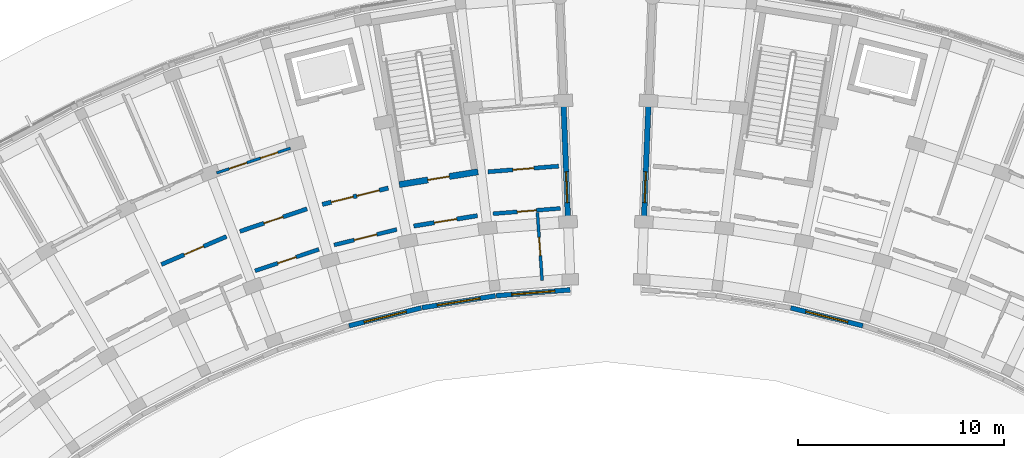
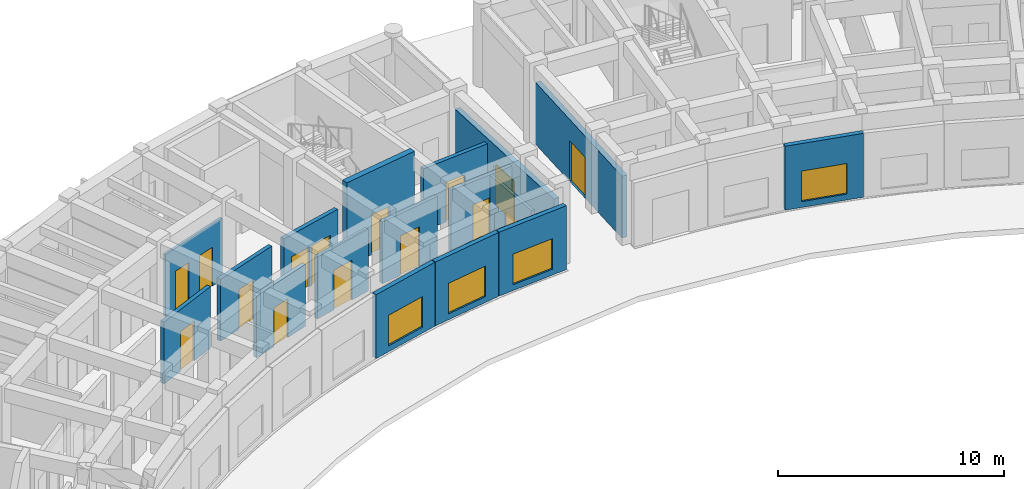
# One storey, part 33 of 61: 17 walls, 15 doors, 4 windows, 19 openings.
"""IFC4 building model written with IfcOpenShell, lengths in metres."""

from ifc_helpers import new_model, si_unit, direction, frame, frame_2d, origin, place, context, subcontext, project, spatial, rectangle, extrude, material, layer, layer_set, type_object, element, fill, save


model = new_model("IFC4")

# Units and contexts
model_context = context("Model", 3, precision=1e-05, world=origin(), true_north=direction((0.0, 1.0)))
body_context = subcontext(model_context, "Body", "Model", "MODEL_VIEW")
ifc_project = project(units=[si_unit("LENGTHUNIT", "METRE"), si_unit("AREAUNIT", "SQUARE_METRE"), si_unit("VOLUMEUNIT", "CUBIC_METRE"), si_unit("PLANEANGLEUNIT", "RADIAN"), si_unit("MASSUNIT", "GRAM", prefix="KILO")], contexts=[model_context])

# Site, building, storey
site_placement = place(None, origin())
site = spatial("IfcSite", under=ifc_project, at=site_placement, CompositionType="ELEMENT")
building_placement = place(site_placement, origin())
building = spatial("IfcBuilding", under=site, at=building_placement, Name="Zimvara Arc Housing Community", CompositionType="ELEMENT")
storey_placement = place(building_placement, origin())
storey = spatial("IfcBuildingStorey", under=building, at=storey_placement, Name="L00", CompositionType="ELEMENT", Elevation=0.0)

# Wall, opening, window
ifc_material_1 = material(Name="Board-Marked Fair-Faced Concrete C35/45", Category="concrete")
ifc_layer_1 = layer(ifc_material_1, 0.22998046875)
ifc_layer_set_1 = layer_set([ifc_layer_1], Name="Board-Marked Fair-Faced Concrete C35/45")
wall_type_1 = type_object("IfcWallType", Name="EWL-CONC-230", PredefinedType="SOLIDWALL", material=ifc_layer_set_1)
wall_1_placement = place(storey_placement, frame((32.541015625, 87.344482421875, 0.0), z_axis=(0.0, 0.0, 1.0), x_axis=(0.970713661797, 0.240239436399, 0.0)))
wall_1 = element("IfcWall", 1, at=wall_1_placement, inside=storey, type_object=wall_type_1, Name="ewall:blkA:L00:in:b7", PredefinedType="SOLIDWALL", context=body_context, shape_type="SweptSolid", body=[
    extrude(rectangle(XDim=3.603515625, YDim=0.22998046875, at=frame_2d((1.8017578125, 0.0))), origin(), (0.0, 0.0, 1.0), 3.449951171875),
])
opening_1_placement = place(wall_1_placement, frame((0.751708984375, 0.0, 0.320068359375)))
opening_1 = element("IfcOpeningElement", 2, at=opening_1_placement, cuts=wall_1, Name="Opening W09", PredefinedType="OPENING", context=body_context, shape_type="SweptSolid", body=[
    extrude(rectangle(XDim=2.10009765625, YDim=1.64990234375, at=frame_2d((1.050048828125, 0.824951171875))), frame((0.0, 0.125, 0.0), z_axis=(0.0, -1.0, 0.0), x_axis=(1.0, 0.0, 0.0)), (0.0, 0.0, 1.0), 0.25),
])
ifc_material_2 = material(Name="Solar Control Low-E Double Glazing", Category="glass")
window_type = type_object("IfcWindowType", Name="WIN-RES-2100x1650", PartitioningType="TRIPLE_PANEL_VERTICAL", PredefinedType="WINDOW", material=ifc_material_2)
window_1_placement = place(opening_1_placement, origin())
window_1 = element("IfcWindow", 3, at=window_1_placement, inside=storey, type_object=window_type, Name="win:blkA:L00:in:b7", OverallHeight=1.64990234375, OverallWidth=2.10009765625, PartitioningType="TRIPLE_PANEL_VERTICAL", PredefinedType="WINDOW", context=body_context, shape_type="SweptSolid", body=[
    extrude(rectangle(XDim=2.10009765625, YDim=1.64990234375, at=frame_2d((1.050048828125, 0.824951171875))), frame((0.0, 0.030029296875, 0.0), z_axis=(0.0, -1.0, 0.0), x_axis=(1.0, 0.0, 0.0)), (0.0, 0.0, 1.0), 0.06005859375),
])
fill(opening_1, window_1)

wall_2_placement = place(storey_placement, frame((36.078125, 88.218017578125, 0.0), z_axis=(0.0, 0.0, 1.0), x_axis=(0.987080874485, 0.160222804952, 0.0)))
wall_2 = element("IfcWall", 4, at=wall_2_placement, inside=storey, type_object=wall_type_1, Name="ewall:blkA:L00:in:b8", PredefinedType="SOLIDWALL", context=body_context, shape_type="SweptSolid", body=[
    extrude(rectangle(XDim=3.603759765625, YDim=0.22998046875, at=frame_2d((1.8017578125, 0.0))), origin(), (0.0, 0.0, 1.0), 3.449951171875),
])
opening_2_placement = place(wall_2_placement, frame((0.751708984375, 0.0, 0.320068359375)))
opening_2 = element("IfcOpeningElement", 5, at=opening_2_placement, cuts=wall_2, Name="Opening W09", PredefinedType="OPENING", context=body_context, shape_type="SweptSolid", body=[
    extrude(rectangle(XDim=2.10009765625, YDim=1.64990234375, at=frame_2d((1.050048828125, 0.824951171875))), frame((0.0, 0.125, 0.0), z_axis=(0.0, -1.0, 0.0), x_axis=(1.0, 0.0, 0.0)), (0.0, 0.0, 1.0), 0.25),
])
window_2_placement = place(opening_2_placement, origin())
window_2 = element("IfcWindow", 6, at=window_2_placement, inside=storey, type_object=window_type, Name="win:blkA:L00:in:b8", OverallHeight=1.64990234375, OverallWidth=2.10009765625, PartitioningType="TRIPLE_PANEL_VERTICAL", PredefinedType="WINDOW", context=body_context, shape_type="SweptSolid", body=[
    extrude(rectangle(XDim=2.10009765625, YDim=1.64990234375, at=frame_2d((1.050048828125, 0.824951171875))), frame((0.0, 0.030029296875, 0.0), z_axis=(0.0, -1.0, 0.0), x_axis=(1.0, 0.0, 0.0)), (0.0, 0.0, 1.0), 0.06005859375),
])
fill(opening_2, window_2)

wall_3_placement = place(storey_placement, frame((39.6748046875, 88.80029296875, 0.0), z_axis=(0.0, 0.0, 1.0), x_axis=(0.996864205069, 0.079131262167, 0.0)))
wall_3 = element("IfcWall", 7, at=wall_3_placement, inside=storey, type_object=wall_type_1, Name="ewall:blkA:L00:in:b9", PredefinedType="SOLIDWALL", context=body_context, shape_type="SweptSolid", body=[
    extrude(rectangle(XDim=3.603515625, YDim=0.22998046875, at=frame_2d((1.8017578125, 0.0))), origin(), (0.0, 0.0, 1.0), 3.449951171875),
])
opening_3_placement = place(wall_3_placement, frame((0.751708984375, 0.0, 0.320068359375)))
opening_3 = element("IfcOpeningElement", 8, at=opening_3_placement, cuts=wall_3, Name="Opening W09", PredefinedType="OPENING", context=body_context, shape_type="SweptSolid", body=[
    extrude(rectangle(XDim=2.10009765625, YDim=1.64990234375, at=frame_2d((1.050048828125, 0.824951171875))), frame((0.0, 0.125, 0.0), z_axis=(0.0, -1.0, 0.0), x_axis=(1.0, 0.0, 0.0)), (0.0, 0.0, 1.0), 0.25),
])
window_3_placement = place(opening_3_placement, origin())
window_3 = element("IfcWindow", 9, at=window_3_placement, inside=storey, type_object=window_type, Name="win:blkA:L00:in:b9", OverallHeight=1.64990234375, OverallWidth=2.10009765625, PartitioningType="TRIPLE_PANEL_VERTICAL", PredefinedType="WINDOW", context=body_context, shape_type="SweptSolid", body=[
    extrude(rectangle(XDim=2.10009765625, YDim=1.64990234375, at=frame_2d((1.050048828125, 0.824951171875))), frame((0.0, 0.030029296875, 0.0), z_axis=(0.0, -1.0, 0.0), x_axis=(1.0, 0.0, 0.0)), (0.0, 0.0, 1.0), 0.06005859375),
])
fill(opening_3, window_3)

wall_4_placement = place(storey_placement, frame((53.9609375, 88.210205078125, 0.0), z_axis=(0.0, 0.0, 1.0), x_axis=(0.970713661797, -0.240239436399, 0.0)))
wall_4 = element("IfcWall", 10, at=wall_4_placement, inside=storey, type_object=wall_type_1, Name="ewall:blkB:L00:in:b2", PredefinedType="SOLIDWALL", context=body_context, shape_type="SweptSolid", body=[
    extrude(rectangle(XDim=3.603515625, YDim=0.22998046875, at=frame_2d((1.8017578125, 0.0))), origin(), (0.0, 0.0, 1.0), 3.449951171875),
])
opening_4_placement = place(wall_4_placement, frame((0.751708984375, 0.0, 0.320068359375)))
opening_4 = element("IfcOpeningElement", 11, at=opening_4_placement, cuts=wall_4, Name="Opening W09", PredefinedType="OPENING", context=body_context, shape_type="SweptSolid", body=[
    extrude(rectangle(XDim=2.10009765625, YDim=1.64990234375, at=frame_2d((1.050048828125, 0.824951171875))), frame((0.0, 0.125, 0.0), z_axis=(0.0, -1.0, 0.0), x_axis=(1.0, 0.0, 0.0)), (0.0, 0.0, 1.0), 0.25),
])
window_4_placement = place(opening_4_placement, origin())
window_4 = element("IfcWindow", 12, at=window_4_placement, inside=storey, type_object=window_type, Name="win:blkB:L00:in:b2", OverallHeight=1.64990234375, OverallWidth=2.10009765625, PartitioningType="TRIPLE_PANEL_VERTICAL", PredefinedType="WINDOW", context=body_context, shape_type="SweptSolid", body=[
    extrude(rectangle(XDim=2.10009765625, YDim=1.64990234375, at=frame_2d((1.050048828125, 0.824951171875))), frame((0.0, 0.030029296875, 0.0), z_axis=(0.0, -1.0, 0.0), x_axis=(1.0, 0.0, 0.0)), (0.0, 0.0, 1.0), 0.06005859375),
])
fill(opening_4, window_4)

# Wall, opening, door
ifc_material_3 = material(Name="Board-Marked Fair-Faced Concrete C35/45", Category="concrete")
ifc_layer_2 = layer(ifc_material_3, 0.264892578125)
ifc_layer_set_2 = layer_set([ifc_layer_2], Name="Board-Marked Fair-Faced Concrete C35/45")
wall_type_2 = type_object("IfcWallType", Name="EWL-CONC-265", PredefinedType="SOLIDWALL", material=ifc_layer_set_2)
wall_5_placement = place(storey_placement, frame((43.2587890625, 89.82666015625, 0.0), z_axis=(0.0, 0.0, 1.0), x_axis=(-0.038407966241, 0.999262141847, 0.0)))
wall_5 = element("IfcWall", 13, at=wall_5_placement, inside=storey, type_object=wall_type_2, Name="ewall:blkA:L00:gN", PredefinedType="SOLIDWALL", context=body_context, shape_type="SweptSolid", body=[
    extrude(rectangle(XDim=8.199951171875, YDim=0.264892578125, at=frame_2d((4.10009765625, 0.0))), origin(), (0.0, 0.0, 1.0), 3.340087890625),
])
opening_5_placement = place(wall_5_placement, frame((3.489990234375, 0.0, 0.0)))
opening_5 = element("IfcOpeningElement", 14, at=opening_5_placement, cuts=wall_5, Name="Opening ED01", PredefinedType="OPENING", context=body_context, shape_type="SweptSolid", body=[
    extrude(rectangle(XDim=1.5, YDim=2.199951171875, at=frame_2d((0.75, 1.10009765625))), frame((0.0, 0.142333984375, 0.0), z_axis=(0.0, -1.0, 0.0), x_axis=(1.0, 0.0, 0.0)), (0.0, 0.0, 1.0), 0.284912109375),
])
ifc_material_4 = material(Name="Anodised Aluminium AW-6063", Category="aluminium")
door_type_1 = type_object("IfcDoorType", Name="EDR-EXIT-1500x2200", OperationType="DOUBLE_DOOR_SINGLE_SWING", PredefinedType="DOOR", material=ifc_material_4)
door_1_placement = place(opening_5_placement, origin())
door_1 = element("IfcDoor", 15, at=door_1_placement, inside=storey, type_object=door_type_1, Name="edoor:blkA:L00:corr_exit:gN", OperationType="DOUBLE_DOOR_SINGLE_SWING", OverallHeight=2.199951171875, OverallWidth=1.5, PredefinedType="DOOR", context=body_context, shape_type="SweptSolid", body=[
    extrude(rectangle(XDim=1.5, YDim=2.199951171875, at=frame_2d((0.75, 1.10009765625))), frame((0.0, 0.02490234375, 0.0), z_axis=(0.0, -1.0, 0.0), x_axis=(1.0, 0.0, 0.0)), (0.0, 0.0, 1.0), 0.050048828125),
])
fill(opening_5, door_1)

wall_6_placement = place(storey_placement, frame((46.7412109375, 89.82666015625, 0.0), z_axis=(0.0, 0.0, 1.0), x_axis=(0.038407966241, 0.999262141847, 0.0)))
wall_6 = element("IfcWall", 16, at=wall_6_placement, inside=storey, type_object=wall_type_2, Name="ewall:blkB:L00:g0", PredefinedType="SOLIDWALL", context=body_context, shape_type="SweptSolid", body=[
    extrude(rectangle(XDim=8.199951171875, YDim=0.264892578125, at=frame_2d((4.10009765625, 0.0))), origin(), (0.0, 0.0, 1.0), 3.340087890625),
])
opening_6_placement = place(wall_6_placement, frame((3.489990234375, 0.0, 0.0)))
opening_6 = element("IfcOpeningElement", 17, at=opening_6_placement, cuts=wall_6, Name="Opening ED01", PredefinedType="OPENING", context=body_context, shape_type="SweptSolid", body=[
    extrude(rectangle(XDim=1.5, YDim=2.199951171875, at=frame_2d((0.75, 1.10009765625))), frame((0.0, 0.142333984375, 0.0), z_axis=(0.0, -1.0, 0.0), x_axis=(1.0, 0.0, 0.0)), (0.0, 0.0, 1.0), 0.284912109375),
])
door_2_placement = place(opening_6_placement, origin())
door_2 = element("IfcDoor", 18, at=door_2_placement, inside=storey, type_object=door_type_1, Name="edoor:blkB:L00:corr_exit:g0", OperationType="DOUBLE_DOOR_SINGLE_SWING", OverallHeight=2.199951171875, OverallWidth=1.5, PredefinedType="DOOR", context=body_context, shape_type="SweptSolid", body=[
    extrude(rectangle(XDim=1.5, YDim=2.199951171875, at=frame_2d((0.75, 1.10009765625))), frame((0.0, 0.02490234375, 0.0), z_axis=(0.0, -1.0, 0.0), x_axis=(1.0, 0.0, 0.0)), (0.0, 0.0, 1.0), 0.050048828125),
])
fill(opening_6, door_2)

# Wall, openings, doors
ifc_material_5 = material(Name="Concrete C35/45", Category="concrete")
ifc_layer_3 = layer(ifc_material_5, 0.2099609375)
ifc_layer_set_3 = layer_set([ifc_layer_3], Name="Concrete C35/45")
wall_type_3 = type_object("IfcWallType", Name="IWL-CCF-210", PredefinedType="SOLIDWALL", material=ifc_layer_set_3)
wall_7_placement = place(storey_placement, frame((31.242919921875, 93.22998046875, 0.0), z_axis=(0.0, 0.0, 1.0), x_axis=(0.970719238682, 0.240216901263, 0.0)))
wall_7 = element("IfcWall", 19, at=wall_7_placement, inside=storey, type_object=wall_type_3, Name="iwall:blkA:L00:ll_div:b7", PredefinedType="SOLIDWALL", context=body_context, shape_type="SweptSolid", body=[
    extrude(rectangle(XDim=3.2958984375, YDim=0.2099609375, at=frame_2d((1.64794921875, 0.0))), origin(), (0.0, 0.0, 1.0), 3.340087890625),
])
opening_7_placement = place(wall_7_placement, frame((0.449951171875, 0.0, 0.0)))
opening_7 = element("IfcOpeningElement", 20, at=opening_7_placement, cuts=wall_7, Name="Opening FD-CCF1", PredefinedType="OPENING", context=body_context, shape_type="SweptSolid", body=[
    extrude(rectangle(XDim=1.10009765625, YDim=2.14990234375, at=frame_2d((0.550048828125, 1.074951171875))), frame((0.0, 0.114990234375, 0.0), z_axis=(0.0, -1.0, 0.0), x_axis=(1.0, 0.0, 0.0)), (0.0, 0.0, 1.0), 0.22998046875),
])
opening_8_placement = place(wall_7_placement, frame((1.72607421875, 0.0, 0.0)))
opening_8 = element("IfcOpeningElement", 21, at=opening_8_placement, cuts=wall_7, Name="Opening D07", PredefinedType="OPENING", context=body_context, shape_type="SweptSolid", body=[
    extrude(rectangle(XDim=1.1201171875, YDim=2.14990234375, at=frame_2d((0.56005859375, 1.074951171875))), frame((0.0, 0.114990234375, 0.0), z_axis=(0.0, -1.0, 0.0), x_axis=(1.0, 0.0, 0.0)), (0.0, 0.0, 1.0), 0.22998046875),
])
ifc_material_6 = material(Name="Mozambican Hardwood", Category="wood")
door_type_2 = type_object("IfcDoorType", Name="IDR-AMN-1120x2150", OperationType="NOTDEFINED", PredefinedType="DOOR", material=ifc_material_6)
door_3_placement = place(opening_8_placement, origin())
door_3 = element("IfcDoor", 22, at=door_3_placement, inside=storey, type_object=door_type_2, Name="idoor:blkA:L00:rs_in:b7", OperationType="SINGLE_SWING_RIGHT", OverallHeight=2.14990234375, OverallWidth=1.1201171875, PredefinedType="DOOR", context=body_context, shape_type="SweptSolid", body=[
    extrude(rectangle(XDim=1.1201171875, YDim=2.14990234375, at=frame_2d((0.56005859375, 1.074951171875))), frame((0.0, 0.02490234375, 0.0), z_axis=(0.0, -1.0, 0.0), x_axis=(1.0, 0.0, 0.0)), (0.0, 0.0, 1.0), 0.050048828125),
])
fill(opening_8, door_3)
ifc_material_7 = material(Name="Anodised Aluminium AW-6063", Category="aluminium")
door_type_3 = type_object("IfcDoorType", Name="IDR-CCF-1100x2150", OperationType="NOTDEFINED", PredefinedType="DOOR", material=ifc_material_7)
door_4_placement = place(opening_7_placement, origin())
door_4 = element("IfcDoor", 23, at=door_4_placement, inside=storey, type_object=door_type_3, Name="idoor:blkA:L00:ll_in:b7", OperationType="SINGLE_SWING_LEFT", OverallHeight=2.14990234375, OverallWidth=1.10009765625, PredefinedType="DOOR", context=body_context, shape_type="SweptSolid", body=[
    extrude(rectangle(XDim=1.10009765625, YDim=2.14990234375, at=frame_2d((0.550048828125, 1.074951171875))), frame((0.0, 0.02490234375, 0.0), z_axis=(0.0, -1.0, 0.0), x_axis=(1.0, 0.0, 0.0)), (0.0, 0.0, 1.0), 0.050048828125),
])
fill(opening_7, door_4)

# Wall, opening, door
wall_8_placement = place(storey_placement, frame((35.675537109375, 92.181396484375, 0.0), z_axis=(0.0, 0.0, 1.0), x_axis=(0.98707079686, 0.160284877599, 0.0)))
wall_8 = element("IfcWall", 24, at=wall_8_placement, inside=storey, type_object=wall_type_3, Name="iwall:blkA:L00:ccf_div:b8", PredefinedType="SOLIDWALL", context=body_context, shape_type="SweptSolid", body=[
    extrude(rectangle(XDim=3.128662109375, YDim=0.2099609375, at=frame_2d((1.564453125, 0.0))), origin(), (0.0, 0.0, 1.0), 3.340087890625),
])
opening_9_placement = place(wall_8_placement, frame((1.014404296875, 0.0, 0.0)))
opening_9 = element("IfcOpeningElement", 25, at=opening_9_placement, cuts=wall_8, Name="Opening FD-CCF1", PredefinedType="OPENING", context=body_context, shape_type="SweptSolid", body=[
    extrude(rectangle(XDim=1.10009765625, YDim=2.14990234375, at=frame_2d((0.550048828125, 1.074951171875))), frame((0.0, 0.114990234375, 0.0), z_axis=(0.0, -1.0, 0.0), x_axis=(1.0, 0.0, 0.0)), (0.0, 0.0, 1.0), 0.22998046875),
])
door_5_placement = place(opening_9_placement, origin())
door_5 = element("IfcDoor", 26, at=door_5_placement, inside=storey, type_object=door_type_3, Name="idoor:blkA:L00:ccf_in:b8", OperationType="SINGLE_SWING_RIGHT", OverallHeight=2.14990234375, OverallWidth=1.10009765625, PredefinedType="DOOR", context=body_context, shape_type="SweptSolid", body=[
    extrude(rectangle(XDim=1.10009765625, YDim=2.14990234375, at=frame_2d((0.550048828125, 1.074951171875))), frame((0.0, 0.02490234375, 0.0), z_axis=(0.0, -1.0, 0.0), x_axis=(1.0, 0.0, 0.0)), (0.0, 0.0, 1.0), 0.050048828125),
])
fill(opening_9, door_5)

ifc_material_8 = material(Name="Concrete C35/45", Category="concrete")
ifc_layer_4 = layer(ifc_material_8, 0.18994140625)
ifc_layer_set_4 = layer_set([ifc_layer_4], Name="Concrete C35/45")
wall_type_4 = type_object("IfcWallType", Name="IWL-CORR-190", PredefinedType="SOLIDWALL", material=ifc_layer_set_4)
wall_9_placement = place(storey_placement, frame((27.978515625, 90.0078125, 0.0), z_axis=(0.0, 0.0, 1.0), x_axis=(0.94787351033, 0.318646839643, 0.0)))
wall_9 = element("IfcWall", 27, at=wall_9_placement, inside=storey, type_object=wall_type_4, Name="iwall:blkA:L00:corr_in:b6", PredefinedType="SOLIDWALL", context=body_context, shape_type="SweptSolid", body=[
    extrude(rectangle(XDim=3.2685546875, YDim=0.18994140625, at=frame_2d((1.63427734375, 0.0))), origin(), (0.0, 0.0, 1.0), 3.340087890625),
])
opening_10_placement = place(wall_9_placement, frame((1.164306640625, 0.0, 0.0)))
opening_10 = element("IfcOpeningElement", 28, at=opening_10_placement, cuts=wall_9, Name="Opening D03", PredefinedType="OPENING", context=body_context, shape_type="SweptSolid", body=[
    extrude(rectangle(XDim=0.93994140625, YDim=2.10009765625, at=frame_2d((0.469970703125, 1.050048828125))), frame((0.0, 0.10498046875, 0.0), z_axis=(0.0, -1.0, 0.0), x_axis=(1.0, 0.0, 0.0)), (0.0, 0.0, 1.0), 0.2099609375),
])
ifc_material_9 = material(Name="Mozambican Hardwood", Category="wood")
door_type_4 = type_object("IfcDoorType", Name="IDR-RM-0940x2100", OperationType="NOTDEFINED", PredefinedType="DOOR", material=ifc_material_9)
door_6_placement = place(opening_10_placement, origin())
door_6 = element("IfcDoor", 29, at=door_6_placement, inside=storey, type_object=door_type_4, Name="idoor:blkA:L00:in_rm:b6", OperationType="SINGLE_SWING_LEFT", OverallHeight=2.10009765625, OverallWidth=0.93994140625, PredefinedType="DOOR", context=body_context, shape_type="SweptSolid", body=[
    extrude(rectangle(XDim=0.93994140625, YDim=2.10009765625, at=frame_2d((0.469970703125, 1.050048828125))), frame((0.0, 0.02490234375, 0.0), z_axis=(0.0, -1.0, 0.0), x_axis=(1.0, 0.0, 0.0)), (0.0, 0.0, 1.0), 0.050048828125),
])
fill(opening_10, door_6)

wall_10_placement = place(storey_placement, frame((31.816162109375, 91.26171875, 0.0), z_axis=(0.0, 0.0, 1.0), x_axis=(0.970727194092, 0.240184751078, 0.0)))
wall_10 = element("IfcWall", 30, at=wall_10_placement, inside=storey, type_object=wall_type_4, Name="iwall:blkA:L00:ra_div:b7", PredefinedType="SOLIDWALL", context=body_context, shape_type="SweptSolid", body=[
    extrude(rectangle(XDim=3.128662109375, YDim=0.18994140625, at=frame_2d((1.564453125, 0.0))), origin(), (0.0, 0.0, 1.0), 3.340087890625),
])
opening_11_placement = place(wall_10_placement, frame((1.00439453125, 0.0, 0.0)))
opening_11 = element("IfcOpeningElement", 31, at=opening_11_placement, cuts=wall_10, Name="Opening D07", PredefinedType="OPENING", context=body_context, shape_type="SweptSolid", body=[
    extrude(rectangle(XDim=1.1201171875, YDim=2.14990234375, at=frame_2d((0.56005859375, 1.074951171875))), frame((0.0, 0.10498046875, 0.0), z_axis=(0.0, -1.0, 0.0), x_axis=(1.0, 0.0, 0.0)), (0.0, 0.0, 1.0), 0.2099609375),
])
door_7_placement = place(opening_11_placement, origin())
door_7 = element("IfcDoor", 32, at=door_7_placement, inside=storey, type_object=door_type_2, Name="idoor:blkA:L00:ra_d:b7", OperationType="SINGLE_SWING_LEFT", OverallHeight=2.14990234375, OverallWidth=1.1201171875, PredefinedType="DOOR", context=body_context, shape_type="SweptSolid", body=[
    extrude(rectangle(XDim=1.1201171875, YDim=2.14990234375, at=frame_2d((0.56005859375, 1.074951171875))), frame((0.0, 0.02490234375, 0.0), z_axis=(0.0, -1.0, 0.0), x_axis=(1.0, 0.0, 0.0)), (0.0, 0.0, 1.0), 0.050048828125),
])
fill(opening_11, door_7)

wall_11_placement = place(storey_placement, frame((39.527099609375, 92.77783203125, 0.0), z_axis=(0.0, 0.0, 1.0), x_axis=(0.99686660806, 0.07910098441, 0.0)))
wall_11 = element("IfcWall", 33, at=wall_11_placement, inside=storey, type_object=wall_type_4, Name="iwall:blkA:L00:corr_in:b9", PredefinedType="SOLIDWALL", context=body_context, shape_type="SweptSolid", body=[
    extrude(rectangle(XDim=3.2685546875, YDim=0.18994140625, at=frame_2d((1.63427734375, 0.0))), origin(), (0.0, 0.0, 1.0), 3.340087890625),
])
opening_12_placement = place(wall_11_placement, frame((1.17431640625, 0.0, 0.0)))
opening_12 = element("IfcOpeningElement", 34, at=opening_12_placement, cuts=wall_11, Name="Opening D02", PredefinedType="OPENING", context=body_context, shape_type="SweptSolid", body=[
    extrude(rectangle(XDim=0.919921875, YDim=2.10009765625, at=frame_2d((0.4599609375, 1.050048828125))), frame((0.0, 0.10498046875, 0.0), z_axis=(0.0, -1.0, 0.0), x_axis=(1.0, 0.0, 0.0)), (0.0, 0.0, 1.0), 0.2099609375),
])
ifc_material_10 = material(Name="Mozambican Hardwood", Category="wood")
door_type_5 = type_object("IfcDoorType", Name="IDR-RM-0920x2100", OperationType="NOTDEFINED", PredefinedType="DOOR", material=ifc_material_10)
door_8_placement = place(opening_12_placement, origin())
door_8 = element("IfcDoor", 35, at=door_8_placement, inside=storey, type_object=door_type_5, Name="idoor:blkA:L00:in_rm:b9", OperationType="SINGLE_SWING_RIGHT", OverallHeight=2.10009765625, OverallWidth=0.919921875, PredefinedType="DOOR", context=body_context, shape_type="SweptSolid", body=[
    extrude(rectangle(XDim=0.919921875, YDim=2.10009765625, at=frame_2d((0.4599609375, 1.050048828125))), frame((0.0, 0.02490234375, 0.0), z_axis=(0.0, -1.0, 0.0), x_axis=(1.0, 0.0, 0.0)), (0.0, 0.0, 1.0), 0.050048828125),
])
fill(opening_12, door_8)

ifc_material_11 = material(Name="Concrete C35/45", Category="concrete")
ifc_layer_5 = layer(ifc_material_11, 0.199951171875)
ifc_layer_set_5 = layer_set([ifc_layer_5], Name="Concrete C35/45")
wall_type_5 = type_object("IfcWallType", Name="IWL-CORR-200", PredefinedType="SOLIDWALL", material=ifc_layer_set_5)
wall_12_placement = place(storey_placement, frame((23.4365234375, 90.31591796875, 0.0), z_axis=(0.0, 0.0, 1.0), x_axis=(0.918718172399, 0.394913813008, 0.0)))
wall_12 = element("IfcWall", 36, at=wall_12_placement, inside=storey, type_object=wall_type_5, Name="iwall:blkA:L00:corr_out:b5", PredefinedType="SOLIDWALL", context=body_context, shape_type="SweptSolid", body=[
    extrude(rectangle(XDim=3.43603515625, YDim=0.199951171875, at=frame_2d((1.718017578125, 0.0))), origin(), (0.0, 0.0, 1.0), 3.340087890625),
])
opening_13_placement = place(wall_12_placement, frame((1.2080078125, 0.0, 0.0)))
opening_13 = element("IfcOpeningElement", 37, at=opening_13_placement, cuts=wall_12, Name="Opening FD-FL2", PredefinedType="OPENING", context=body_context, shape_type="SweptSolid", body=[
    extrude(rectangle(XDim=1.02001953125, YDim=2.14990234375, at=frame_2d((0.510009765625, 1.074951171875))), frame((0.0, 0.10986328125, 0.0), z_axis=(0.0, -1.0, 0.0), x_axis=(1.0, 0.0, 0.0)), (0.0, 0.0, 1.0), 0.219970703125),
])
ifc_material_12 = material(Name="Mozambican Hardwood", Category="wood")
door_type_6 = type_object("IfcDoorType", Name="IDR-FLAT-1020x2150", OperationType="NOTDEFINED", PredefinedType="DOOR", material=ifc_material_12)
door_9_placement = place(opening_13_placement, origin())
door_9 = element("IfcDoor", 38, at=door_9_placement, inside=storey, type_object=door_type_6, Name="idoor:blkA:L00:flat:b5", OperationType="SINGLE_SWING_RIGHT", OverallHeight=2.14990234375, OverallWidth=1.02001953125, PredefinedType="DOOR", context=body_context, shape_type="SweptSolid", body=[
    extrude(rectangle(XDim=1.02001953125, YDim=2.14990234375, at=frame_2d((0.510009765625, 1.074951171875))), frame((0.0, 0.02490234375, 0.0), z_axis=(0.0, -1.0, 0.0), x_axis=(1.0, 0.0, 0.0)), (0.0, 0.0, 1.0), 0.050048828125),
])
fill(opening_13, door_9)

wall_13_placement = place(storey_placement, frame((27.24658203125, 91.922607421875, 0.0), z_axis=(0.0, 0.0, 1.0), x_axis=(0.947863007629, 0.318678080151, 0.0)))
wall_13 = element("IfcWall", 39, at=wall_13_placement, inside=storey, type_object=wall_type_5, Name="iwall:blkA:L00:corr_out:b6", PredefinedType="SOLIDWALL", context=body_context, shape_type="SweptSolid", body=[
    extrude(rectangle(XDim=3.43603515625, YDim=0.199951171875, at=frame_2d((1.718017578125, 0.0))), origin(), (0.0, 0.0, 1.0), 3.340087890625),
])
opening_14_placement = place(wall_13_placement, frame((1.22802734375, 0.0, 0.0)))
opening_14 = element("IfcOpeningElement", 40, at=opening_14_placement, cuts=wall_13, Name="Opening FD-FL1", PredefinedType="OPENING", context=body_context, shape_type="SweptSolid", body=[
    extrude(rectangle(XDim=0.97998046875, YDim=2.14990234375, at=frame_2d((0.489990234375, 1.074951171875))), frame((0.0, 0.10986328125, 0.0), z_axis=(0.0, -1.0, 0.0), x_axis=(1.0, 0.0, 0.0)), (0.0, 0.0, 1.0), 0.219970703125),
])
ifc_material_13 = material(Name="Mozambican Hardwood", Category="wood")
door_type_7 = type_object("IfcDoorType", Name="IDR-FLAT-0980x2150", OperationType="NOTDEFINED", PredefinedType="DOOR", material=ifc_material_13)
door_10_placement = place(opening_14_placement, origin())
door_10 = element("IfcDoor", 41, at=door_10_placement, inside=storey, type_object=door_type_7, Name="idoor:blkA:L00:flat:b6", OperationType="SINGLE_SWING_RIGHT", OverallHeight=2.14990234375, OverallWidth=0.97998046875, PredefinedType="DOOR", context=body_context, shape_type="SweptSolid", body=[
    extrude(rectangle(XDim=0.97998046875, YDim=2.14990234375, at=frame_2d((0.489990234375, 1.074951171875))), frame((0.0, 0.02490234375, 0.0), z_axis=(0.0, -1.0, 0.0), x_axis=(1.0, 0.0, 0.0)), (0.0, 0.0, 1.0), 0.050048828125),
])
fill(opening_14, door_10)

wall_14_placement = place(storey_placement, frame((39.281494140625, 94.81298828125, 0.0), z_axis=(0.0, 0.0, 1.0), x_axis=(0.996862545573, 0.079152165058, 0.0)))
wall_14 = element("IfcWall", 42, at=wall_14_placement, inside=storey, type_object=wall_type_5, Name="iwall:blkA:L00:corr_out:b9", PredefinedType="SOLIDWALL", context=body_context, shape_type="SweptSolid", body=[
    extrude(rectangle(XDim=3.43603515625, YDim=0.199951171875, at=frame_2d((1.718017578125, 0.0))), origin(), (0.0, 0.0, 1.0), 3.340087890625),
])
opening_15_placement = place(wall_14_placement, frame((1.2080078125, 0.0, 0.0)))
opening_15 = element("IfcOpeningElement", 43, at=opening_15_placement, cuts=wall_14, Name="Opening FD-FL2", PredefinedType="OPENING", context=body_context, shape_type="SweptSolid", body=[
    extrude(rectangle(XDim=1.02001953125, YDim=2.14990234375, at=frame_2d((0.510009765625, 1.074951171875))), frame((0.0, 0.10986328125, 0.0), z_axis=(0.0, -1.0, 0.0), x_axis=(1.0, 0.0, 0.0)), (0.0, 0.0, 1.0), 0.219970703125),
])
door_11_placement = place(opening_15_placement, origin())
door_11 = element("IfcDoor", 44, at=door_11_placement, inside=storey, type_object=door_type_6, Name="idoor:blkA:L00:flat:b9", OperationType="SINGLE_SWING_LEFT", OverallHeight=2.14990234375, OverallWidth=1.02001953125, PredefinedType="DOOR", context=body_context, shape_type="SweptSolid", body=[
    extrude(rectangle(XDim=1.02001953125, YDim=2.14990234375, at=frame_2d((0.510009765625, 1.074951171875))), frame((0.0, 0.02490234375, 0.0), z_axis=(0.0, -1.0, 0.0), x_axis=(1.0, 0.0, 0.0)), (0.0, 0.0, 1.0), 0.050048828125),
])
fill(opening_15, door_11)

# Wall, openings, doors
ifc_material_14 = material(Name="Painted Acoustic Plasterboard")
ifc_layer_6 = layer(ifc_material_14, 0.1298828125)
ifc_layer_set_6 = layer_set([ifc_layer_6], Name="Painted Acoustic Plasterboard")
wall_type_6 = type_object("IfcWallType", Name="IWL-PART-130", PredefinedType="PARTITIONING", material=ifc_layer_set_6)
wall_15_placement = place(storey_placement, frame((26.110107421875, 94.755615234375, 0.0), z_axis=(0.0, 0.0, 1.0), x_axis=(0.947873924847, 0.318645606584, 0.0)))
wall_15 = element("IfcWall", 45, at=wall_15_placement, inside=storey, type_object=wall_type_6, Name="iwall:blkA:L00:srv:b6", PredefinedType="PARTITIONING", context=body_context, shape_type="SweptSolid", body=[
    extrude(rectangle(XDim=3.784912109375, YDim=0.1298828125, at=frame_2d((1.892578125, 0.0))), origin(), (0.0, 0.0, 1.0), 3.340087890625),
])
opening_16_placement = place(wall_15_placement, frame((0.64990234375, 0.0, 0.0)))
opening_16 = element("IfcOpeningElement", 46, at=opening_16_placement, cuts=wall_15, Name="Opening D01", PredefinedType="OPENING", context=body_context, shape_type="SweptSolid", body=[
    extrude(rectangle(XDim=0.89990234375, YDim=2.10009765625, at=frame_2d((0.449951171875, 1.050048828125))), frame((0.0, 0.074951171875, 0.0), z_axis=(0.0, -1.0, 0.0), x_axis=(1.0, 0.0, 0.0)), (0.0, 0.0, 1.0), 0.14990234375),
])
opening_17_placement = place(wall_15_placement, frame((2.255126953125, 0.0, 0.0)))
opening_17 = element("IfcOpeningElement", 47, at=opening_17_placement, cuts=wall_15, Name="Opening D05", PredefinedType="OPENING", context=body_context, shape_type="SweptSolid", body=[
    extrude(rectangle(XDim=0.8798828125, YDim=2.10009765625, at=frame_2d((0.43994140625, 1.050048828125))), frame((0.0, 0.074951171875, 0.0), z_axis=(0.0, -1.0, 0.0), x_axis=(1.0, 0.0, 0.0)), (0.0, 0.0, 1.0), 0.14990234375),
])
ifc_material_15 = material(Name="Mozambican Hardwood", Category="wood")
door_type_8 = type_object("IfcDoorType", Name="IDR-RM-0900x2100", OperationType="NOTDEFINED", PredefinedType="DOOR", material=ifc_material_15)
door_12_placement = place(opening_16_placement, origin())
door_12 = element("IfcDoor", 48, at=door_12_placement, inside=storey, type_object=door_type_8, Name="idoor:blkA:L00:kit_liv:b6", OperationType="SINGLE_SWING_RIGHT", OverallHeight=2.10009765625, OverallWidth=0.89990234375, PredefinedType="DOOR", context=body_context, shape_type="SweptSolid", body=[
    extrude(rectangle(XDim=0.89990234375, YDim=2.10009765625, at=frame_2d((0.449951171875, 1.050048828125))), frame((0.0, 0.02490234375, 0.0), z_axis=(0.0, -1.0, 0.0), x_axis=(1.0, 0.0, 0.0)), (0.0, 0.0, 1.0), 0.050048828125),
])
fill(opening_16, door_12)
ifc_material_16 = material(Name="Mozambican Hardwood", Category="wood")
door_type_9 = type_object("IfcDoorType", Name="IDR-WC-0880x2100", OperationType="NOTDEFINED", PredefinedType="DOOR", material=ifc_material_16)
door_13_placement = place(opening_17_placement, origin())
door_13 = element("IfcDoor", 49, at=door_13_placement, inside=storey, type_object=door_type_9, Name="idoor:blkA:L00:bath_d:b6", OperationType="SINGLE_SWING_LEFT", OverallHeight=2.10009765625, OverallWidth=0.8798828125, PredefinedType="DOOR", context=body_context, shape_type="SweptSolid", body=[
    extrude(rectangle(XDim=0.8798828125, YDim=2.10009765625, at=frame_2d((0.43994140625, 1.050048828125))), frame((0.0, 0.02490234375, 0.0), z_axis=(0.0, -1.0, 0.0), x_axis=(1.0, 0.0, 0.0)), (0.0, 0.0, 1.0), 0.050048828125),
])
fill(opening_17, door_13)

# Wall, opening, door
ifc_material_17 = material(Name="Painted Acoustic Plasterboard")
ifc_layer_7 = layer(ifc_material_17, 0.14501953125)
ifc_layer_set_7 = layer_set([ifc_layer_7], Name="Painted Acoustic Plasterboard")
wall_type_7 = type_object("IfcWallType", Name="IWL-WET-145", PredefinedType="PARTITIONING", material=ifc_layer_set_7)
wall_16_placement = place(storey_placement, frame((41.9013671875, 89.54345703125, 0.0), z_axis=(0.0, 0.0, 1.0), x_axis=(-0.068581194944, 0.997645538105, 0.0)))
wall_16 = element("IfcWall", 50, at=wall_16_placement, inside=storey, type_object=wall_type_7, Name="iwall:blkA:L00:ens:b9", PredefinedType="PARTITIONING", context=body_context, shape_type="SweptSolid", body=[
    extrude(rectangle(XDim=3.300048828125, YDim=0.14501953125, at=frame_2d((1.64990234375, 0.0))), origin(), (0.0, 0.0, 1.0), 3.340087890625),
])
opening_18_placement = place(wall_16_placement, frame((1.2099609375, 0.0, 0.0)))
opening_18 = element("IfcOpeningElement", 51, at=opening_18_placement, cuts=wall_16, Name="Opening D05", PredefinedType="OPENING", context=body_context, shape_type="SweptSolid", body=[
    extrude(rectangle(XDim=0.8798828125, YDim=2.10009765625, at=frame_2d((0.43994140625, 1.050048828125))), frame((0.0, 0.08251953125, 0.0), z_axis=(0.0, -1.0, 0.0), x_axis=(1.0, 0.0, 0.0)), (0.0, 0.0, 1.0), 0.1650390625),
])
door_14_placement = place(opening_18_placement, origin())
door_14 = element("IfcDoor", 52, at=door_14_placement, inside=storey, type_object=door_type_9, Name="idoor:blkA:L00:ens_d:b9", OperationType="SINGLE_SWING_LEFT", OverallHeight=2.10009765625, OverallWidth=0.8798828125, PredefinedType="DOOR", context=body_context, shape_type="SweptSolid", body=[
    extrude(rectangle(XDim=0.8798828125, YDim=2.10009765625, at=frame_2d((0.43994140625, 1.050048828125))), frame((0.0, 0.02490234375, 0.0), z_axis=(0.0, -1.0, 0.0), x_axis=(1.0, 0.0, 0.0)), (0.0, 0.0, 1.0), 0.050048828125),
])
fill(opening_18, door_14)

ifc_material_18 = material(Name="Concrete C40/50", Category="concrete")
ifc_layer_8 = layer(ifc_material_18, 0.300048828125)
ifc_layer_set_8 = layer_set([ifc_layer_8], Name="Concrete C40/50")
wall_type_8 = type_object("IfcWallType", Name="WL-CORE-300", PredefinedType="SHEAR", material=ifc_layer_set_8)
wall_17_placement = place(storey_placement, frame((38.793701171875, 94.810546875, 0.0), z_axis=(0.0, 0.0, 1.0), x_axis=(-0.987077443397, -0.160243941341, 0.0)))
wall_17 = element("IfcWall", 53, at=wall_17_placement, inside=storey, type_object=wall_type_8, Name="cwall:ST-A2:L00:near", PredefinedType="SHEAR", context=body_context, shape_type="SweptSolid", body=[
    extrude(rectangle(XDim=3.869873046875, YDim=0.300048828125, at=frame_2d((1.93505859375, 0.0))), origin(), (0.0, 0.0, 1.0), 4.5),
])
opening_19_placement = place(wall_17_placement, frame((1.409912109375, 0.0, 0.0)))
opening_19 = element("IfcOpeningElement", 54, at=opening_19_placement, cuts=wall_17, Name="Opening FD-ST2", PredefinedType="OPENING", context=body_context, shape_type="SweptSolid", body=[
    extrude(rectangle(XDim=1.050048828125, YDim=2.14990234375, at=frame_2d((0.52490234375, 1.074951171875))), frame((0.0, 0.159912109375, 0.0), z_axis=(0.0, -1.0, 0.0), x_axis=(1.0, 0.0, 0.0)), (0.0, 0.0, 1.0), 0.320068359375),
])
ifc_material_19 = material(Name="Anodised Aluminium AW-6063", Category="aluminium")
door_type_10 = type_object("IfcDoorType", Name="IDR-ST-1050x2150", OperationType="NOTDEFINED", PredefinedType="DOOR", material=ifc_material_19)
door_15_placement = place(opening_19_placement, origin())
door_15 = element("IfcDoor", 55, at=door_15_placement, inside=storey, type_object=door_type_10, Name="idoor:ST-A2:L00:entry", OperationType="SINGLE_SWING_RIGHT", OverallHeight=2.14990234375, OverallWidth=1.050048828125, PredefinedType="DOOR", context=body_context, shape_type="SweptSolid", body=[
    extrude(rectangle(XDim=1.050048828125, YDim=2.14990234375, at=frame_2d((0.52490234375, 1.074951171875))), frame((0.0, 0.02490234375, 0.0), z_axis=(0.0, -1.0, 0.0), x_axis=(1.0, 0.0, 0.0)), (0.0, 0.0, 1.0), 0.050048828125),
])
fill(opening_19, door_15)

save(model, "model.ifc")
